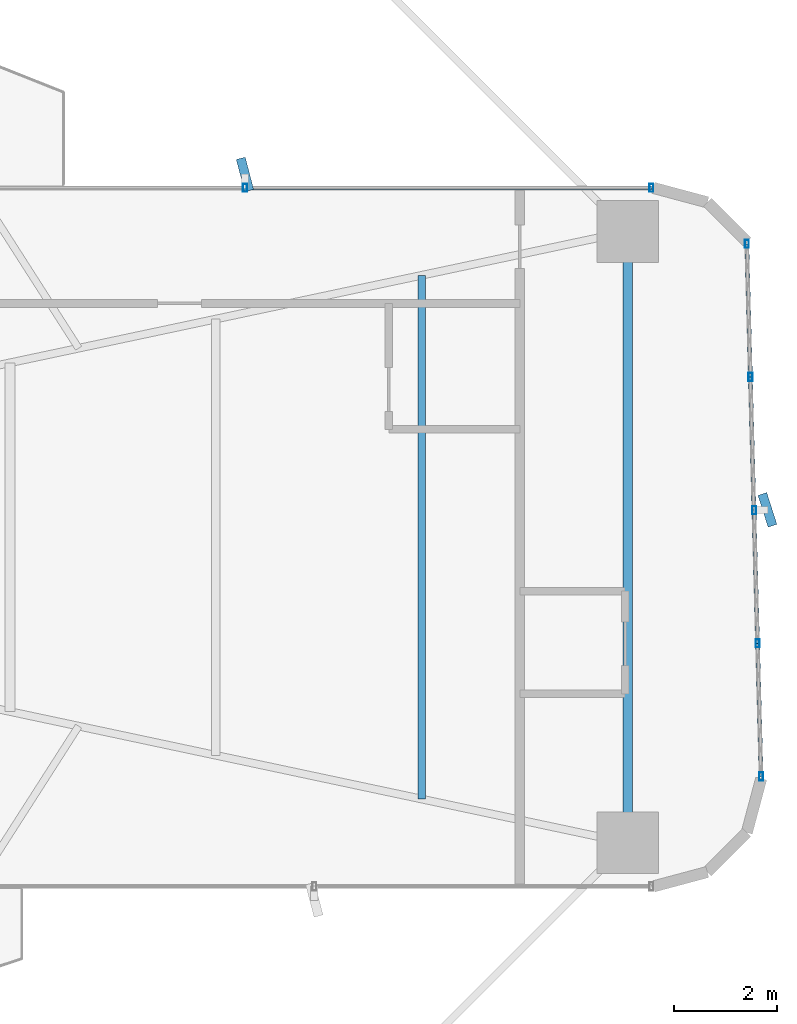
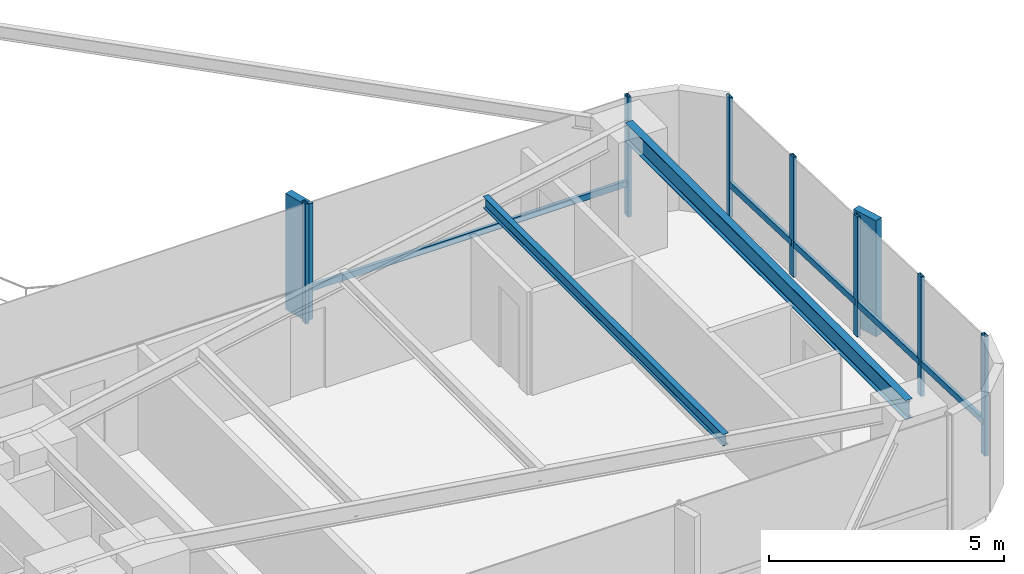
# One storey, part 16 of 26: 14 members, 2 beams, 2 elements without a shape of their own.
"""IFC4 building model written with IfcOpenShell, lengths in metres."""

from ifc_helpers import new_model, si_unit, direction, frame, origin, origin_2d, place, context, subcontext, project, spatial, rectangle, hollow_rectangle, i_section, extrude, source, transform, mapped, material, material_profile, profile_set, type_object, element, aggregate, save


model = new_model("IFC4")

# Units and contexts
model_context = context("Model", 3, precision=1e-05, world=origin(), true_north=direction((0.0, 1.0)))
body_context = subcontext(model_context, "Body", "Model", "MODEL_VIEW")
ifc_project = project(units=[si_unit("LENGTHUNIT", "METRE"), si_unit("AREAUNIT", "SQUARE_METRE"), si_unit("VOLUMEUNIT", "CUBIC_METRE"), si_unit("PLANEANGLEUNIT", "RADIAN"), si_unit("MASSUNIT", "GRAM", prefix="KILO")], contexts=[model_context])

# Site, building, storey
site_placement = place(None, origin())
site = spatial("IfcSite", under=ifc_project, at=site_placement, CompositionType="ELEMENT")
building_placement = place(site_placement, origin())
building = spatial("IfcBuilding", under=site, at=building_placement, Name="Sahyath Konkavel Grand Hotel", CompositionType="ELEMENT")
storey_placement = place(building_placement, frame((0.0, 0.0, 61.10009765625)))
storey = spatial("IfcBuildingStorey", under=building, at=storey_placement, Name="L16", CompositionType="ELEMENT", Elevation=61.10009765625)

# Beams
ifc_material_1 = material(Name="Steel E350", Category="steel")
ifc_material_profile_1 = material_profile(ifc_material_1, i_section(OverallWidth=0.179931640625, OverallDepth=0.5, WebThickness=0.01025390625, FlangeThickness=0.01708984375, FilletRadius=0.01708984375, at=origin_2d()), Name="ISMB 500")
ifc_profile_set_1 = profile_set([ifc_material_profile_1], Name="Steel E350")
beam_type_1 = type_object("IfcBeamType", Name="BM-ISMB500", PredefinedType="BEAM", material=ifc_profile_set_1)
shared_shape_1 = source(origin(), body_context, "Body", "SweptSolid", [
    extrude(i_section(OverallWidth=0.179931640625, OverallDepth=0.5, WebThickness=0.01025390625, FlangeThickness=0.01708984375, FilletRadius=0.01708984375, at=origin_2d()), origin(), (0.0, 0.0, 1.0), 11.89990234375),
])
beam_1_placement = place(storey_placement, frame((22.199951171875, -5.949951171875, 2.85986328125), z_axis=(0.0, 1.0, 0.0), x_axis=(-1.0, 0.0, 0.0)))
element("IfcBeam", 1, at=beam_1_placement, inside=storey, type_object=beam_type_1, Name="L16 Wing Tip Edge Beam E", PredefinedType="BEAM", context=body_context, shape_type="MappedRepresentation", body=[
    mapped(shared_shape_1, transform((0.0, 0.0, 0.0), scale=1.0)),
])
ifc_material_profile_2 = material_profile(ifc_material_1, i_section(OverallWidth=0.139892578125, OverallDepth=0.300048828125, WebThickness=0.0078125, FlangeThickness=0.01318359375, FilletRadius=0.013916015625, at=origin_2d()), Name="ISMB 300")
ifc_profile_set_2 = profile_set([ifc_material_profile_2], Name="Steel E350")
beam_type_2 = type_object("IfcBeamType", Name="BM-ISMB300", PredefinedType="BEAM", material=ifc_profile_set_2)
shared_shape_2 = source(origin(), body_context, "Body", "SweptSolid", [
    extrude(i_section(OverallWidth=0.139892578125, OverallDepth=0.300048828125, WebThickness=0.0078125, FlangeThickness=0.01318359375, FilletRadius=0.013916015625, at=origin_2d()), origin(), (0.0, 0.0, 1.0), 10.19580078125),
])
beam_2_placement = place(storey_placement, frame((18.19189453125, -5.097900390625, 2.9599609375), z_axis=(0.0, 1.0, 0.0), x_axis=(-1.0, 0.0, 0.0)))
element("IfcBeam", 2, at=beam_2_placement, inside=storey, type_object=beam_type_2, Name="L16 Secondary Floor Beam E-3", PredefinedType="BEAM", context=body_context, shape_type="MappedRepresentation", body=[
    mapped(shared_shape_2, transform((0.0, 0.0, 0.0), scale=1.0)),
])

# Curtain wall, members
ifc_material_2 = material(Name="Anodised Bronze Aluminium & Low-E Glazing", Category="aluminium")
curtain_wall_type = type_object("IfcCurtainWallType", Name="CW-ZONE1", PredefinedType="NOTDEFINED", material=ifc_material_2)
curtain_wall_1_placement = place(storey_placement, origin())
curtain_wall_1 = element("IfcCurtainWall", 3, at=curtain_wall_1_placement, inside=storey, type_object=curtain_wall_type, Name="L16 Unitised Curtain Wall F4", PredefinedType="NOTDEFINED")
ifc_material_3 = material(Name="Anodised Bronze Aluminium", Category="aluminium")
ifc_material_profile_3 = material_profile(ifc_material_3, hollow_rectangle(XDim=0.080078125, YDim=0.159912109375, WallThickness=0.006103515625, at=origin_2d()), Name="RHS 160x80x6")
ifc_profile_set_3 = profile_set([ifc_material_profile_3], Name="Anodised Bronze Aluminium")
member_type_1 = type_object("IfcMemberType", Name="CW-MUL-160", PredefinedType="MULLION", material=ifc_profile_set_3)
shared_shape_3 = source(origin(), body_context, "Body", "SweptSolid", [
    extrude(hollow_rectangle(XDim=0.080078125, YDim=0.159912109375, WallThickness=0.006103515625, at=origin_2d()), origin(), (0.0, 0.0, 1.0), 3.10986328125),
])
member_1_placement = place(storey_placement, frame((24.798828125, -4.659912109375, 0.0), z_axis=(0.0, 0.0, 1.0), x_axis=(1.0, 0.0, 0.0)))
member_1 = element("IfcMember", 4, at=member_1_placement, type_object=member_type_1, Name="L16 Curtain Wall Mullion F4-0", PredefinedType="MULLION", context=body_context, shape_type="MappedRepresentation", body=[
    mapped(shared_shape_3, transform((0.0, 0.0, 0.0), scale=1.0)),
])
member_2_placement = place(storey_placement, frame((24.72900390625, -2.0673828125, 0.0), z_axis=(0.0, 0.0, 1.0), x_axis=(1.0, 0.0, 0.0)))
member_2 = element("IfcMember", 5, at=member_2_placement, type_object=member_type_1, Name="L16 Curtain Wall Mullion F4-1", PredefinedType="MULLION", context=body_context, shape_type="MappedRepresentation", body=[
    mapped(shared_shape_3, transform((0.0, 0.0, 0.0), scale=1.0)),
])
member_3_placement = place(storey_placement, frame((24.6591796875, 0.52490234375, 0.0), z_axis=(0.0, 0.0, 1.0), x_axis=(1.0, 0.0, 0.0)))
member_3 = element("IfcMember", 6, at=member_3_placement, type_object=member_type_1, Name="L16 Curtain Wall Mullion F4-2", PredefinedType="MULLION", context=body_context, shape_type="MappedRepresentation", body=[
    mapped(shared_shape_3, transform((0.0, 0.0, 0.0), scale=1.0)),
])
member_4_placement = place(storey_placement, frame((24.589599609375, 3.117431640625, 0.0), z_axis=(0.0, 0.0, 1.0), x_axis=(1.0, 0.0, 0.0)))
member_4 = element("IfcMember", 7, at=member_4_placement, type_object=member_type_1, Name="L16 Curtain Wall Mullion F4-3", PredefinedType="MULLION", context=body_context, shape_type="MappedRepresentation", body=[
    mapped(shared_shape_3, transform((0.0, 0.0, 0.0), scale=1.0)),
])
member_5_placement = place(storey_placement, frame((24.519775390625, 5.7099609375, 0.0), z_axis=(0.0, 0.0, 1.0), x_axis=(1.0, 0.0, 0.0)))
member_5 = element("IfcMember", 8, at=member_5_placement, type_object=member_type_1, Name="L16 Curtain Wall Mullion F4-4", PredefinedType="MULLION", context=body_context, shape_type="MappedRepresentation", body=[
    mapped(shared_shape_3, transform((0.0, 0.0, 0.0), scale=1.0)),
])

curtain_wall_2_placement = place(storey_placement, origin())
curtain_wall_2 = element("IfcCurtainWall", 9, at=curtain_wall_2_placement, inside=storey, type_object=curtain_wall_type, Name="L16 Unitised Curtain Wall F7", PredefinedType="NOTDEFINED")
member_6_placement = place(storey_placement, frame((22.659912109375, 6.800048828125, 0.0), z_axis=(0.0, 0.0, 1.0), x_axis=(1.0, 0.0, 0.0)))
member_6 = element("IfcMember", 10, at=member_6_placement, type_object=member_type_1, Name="L16 Curtain Wall Mullion F7-0", PredefinedType="MULLION", context=body_context, shape_type="MappedRepresentation", body=[
    mapped(shared_shape_3, transform((0.0, 0.0, 0.0), scale=1.0)),
])
member_7_placement = place(storey_placement, frame((14.75, 6.800048828125, 0.0), z_axis=(0.0, 0.0, 1.0), x_axis=(1.0, 0.0, 0.0)))
member_7 = element("IfcMember", 11, at=member_7_placement, type_object=member_type_1, Name="L16 Curtain Wall Mullion F7-1", PredefinedType="MULLION", context=body_context, shape_type="MappedRepresentation", body=[
    mapped(shared_shape_3, transform((0.0, 0.0, 0.0), scale=1.0)),
])

# Member
ifc_material_4 = material(Name="Warm Buff Sandstone Cladding on Concrete C50/60", Category="masonry")
ifc_material_profile_4 = material_profile(ifc_material_4, rectangle(XDim=0.179931640625, YDim=0.64990234375, at=origin_2d()), Name="FIN 180x650")
ifc_profile_set_4 = profile_set([ifc_material_profile_4], Name="Warm Buff Sandstone Cladding on Concrete C50/60")
member_type_2 = type_object("IfcMemberType", Name="FIN-SANDSTONE-650", PredefinedType="MULLION", material=ifc_profile_set_4)
shared_shape_4 = source(origin(), body_context, "Body", "SweptSolid", [
    extrude(rectangle(XDim=0.179931640625, YDim=0.64990234375, at=origin_2d()), origin(), (0.0, 0.0, 1.0), 3.010009765625),
])
member_8_placement = place(storey_placement, frame((24.919189453125, 0.531982421875, 0.0498046875), z_axis=(0.0, 0.0, 1.0), x_axis=(0.952502159334, 0.304531831612, 0.0)))
member_8 = element("IfcMember", 12, at=member_8_placement, type_object=member_type_2, Name="L16 Sandstone Vertical Solar Fin FIN F4-2", PredefinedType="MULLION", context=body_context, shape_type="MappedRepresentation", body=[
    mapped(shared_shape_4, transform((0.0, 0.0, 0.0), scale=1.0)),
])

member_9_placement = place(storey_placement, frame((14.75, 7.06005859375, 0.0498046875), z_axis=(0.0, 0.0, 1.0), x_axis=(0.967134752842, 0.254264369988, 0.0)))
member_9 = element("IfcMember", 13, at=member_9_placement, type_object=member_type_2, Name="L16 Sandstone Vertical Solar Fin FIN F7-1", PredefinedType="MULLION", context=body_context, shape_type="MappedRepresentation", body=[
    mapped(shared_shape_4, transform((0.0, 0.0, 0.0), scale=1.0)),
])

ifc_material_profile_5 = material_profile(ifc_material_3, hollow_rectangle(XDim=0.080078125, YDim=0.159912109375, WallThickness=0.006103515625, at=origin_2d()), Name="RHS 160x80x6")
ifc_profile_set_5 = profile_set([ifc_material_profile_5], Name="Anodised Bronze Aluminium")
member_type_3 = type_object("IfcMemberType", Name="CW-TRN-160", PredefinedType="USERDEFINED", material=ifc_profile_set_5)
shared_shape_5 = source(origin(), body_context, "Body", "SweptSolid", [
    extrude(hollow_rectangle(XDim=0.080078125, YDim=0.159912109375, WallThickness=0.006103515625, at=origin_2d()), origin(), (0.0, 0.0, 1.0), 7.909912109375),
])
member_10_placement = place(storey_placement, frame((22.659912109375, 6.800048828125, 0.849853515625), z_axis=(-1.0, 0.0, 0.0), x_axis=(0.0, -1.0, 0.0)))
member_10 = element("IfcMember", 14, at=member_10_placement, type_object=member_type_3, Name="L16 Curtain Wall Transom F7-0-spandrel", ObjectType="TRANSOM", PredefinedType="USERDEFINED", context=body_context, shape_type="MappedRepresentation", body=[
    mapped(shared_shape_5, transform((0.0, 0.0, 0.0), scale=1.0)),
])

aggregate(curtain_wall_2, [member_6, member_7, member_9, member_10])

shared_shape_6 = source(origin(), body_context, "Body", "SweptSolid", [
    extrude(hollow_rectangle(XDim=0.080078125, YDim=0.159912109375, WallThickness=0.006103515625, at=origin_2d()), origin(), (0.0, 0.0, 1.0), 2.593505859375),
])
member_11_placement = place(storey_placement, frame((24.798828125, -4.659912109375, 0.849853515625), z_axis=(-0.026923093252, 0.999637507825, 0.0), x_axis=(-0.999637507825, -0.026923093252, 0.0)))
member_11 = element("IfcMember", 15, at=member_11_placement, type_object=member_type_3, Name="L16 Curtain Wall Transom F4-0-spandrel", ObjectType="TRANSOM", PredefinedType="USERDEFINED", context=body_context, shape_type="MappedRepresentation", body=[
    mapped(shared_shape_6, transform((0.0, 0.0, 0.0), scale=1.0)),
])

member_12_placement = place(storey_placement, frame((24.6591796875, 0.52490234375, 0.849853515625), z_axis=(-0.02682902444, 0.999640036937, 0.0), x_axis=(-0.999640036937, -0.02682902444, 0.0)))
member_12 = element("IfcMember", 16, at=member_12_placement, type_object=member_type_3, Name="L16 Curtain Wall Transom F4-2-spandrel", ObjectType="TRANSOM", PredefinedType="USERDEFINED", context=body_context, shape_type="MappedRepresentation", body=[
    mapped(shared_shape_6, transform((0.0, 0.0, 0.0), scale=1.0)),
])

member_13_placement = place(storey_placement, frame((24.589599609375, 3.117431640625, 0.849853515625), z_axis=(-0.026923093252, 0.999637507825, 0.0), x_axis=(-0.999637507825, -0.026923093252, 0.0)))
member_13 = element("IfcMember", 17, at=member_13_placement, type_object=member_type_3, Name="L16 Curtain Wall Transom F4-3-spandrel", ObjectType="TRANSOM", PredefinedType="USERDEFINED", context=body_context, shape_type="MappedRepresentation", body=[
    mapped(shared_shape_6, transform((0.0, 0.0, 0.0), scale=1.0)),
])

shared_shape_7 = source(origin(), body_context, "Body", "SweptSolid", [
    extrude(hollow_rectangle(XDim=0.080078125, YDim=0.159912109375, WallThickness=0.006103515625, at=origin_2d()), origin(), (0.0, 0.0, 1.0), 2.59326171875),
])
member_14_placement = place(storey_placement, frame((24.72900390625, -2.0673828125, 0.849853515625), z_axis=(-0.026925627022, 0.99963743958, 0.0), x_axis=(-0.99963743958, -0.026925627022, 0.0)))
member_14 = element("IfcMember", 18, at=member_14_placement, type_object=member_type_3, Name="L16 Curtain Wall Transom F4-1-spandrel", ObjectType="TRANSOM", PredefinedType="USERDEFINED", context=body_context, shape_type="MappedRepresentation", body=[
    mapped(shared_shape_7, transform((0.0, 0.0, 0.0), scale=1.0)),
])

aggregate(curtain_wall_1, [member_1, member_2, member_3, member_8, member_4, member_5, member_11, member_14, member_12, member_13])

save(model, "model.ifc")
